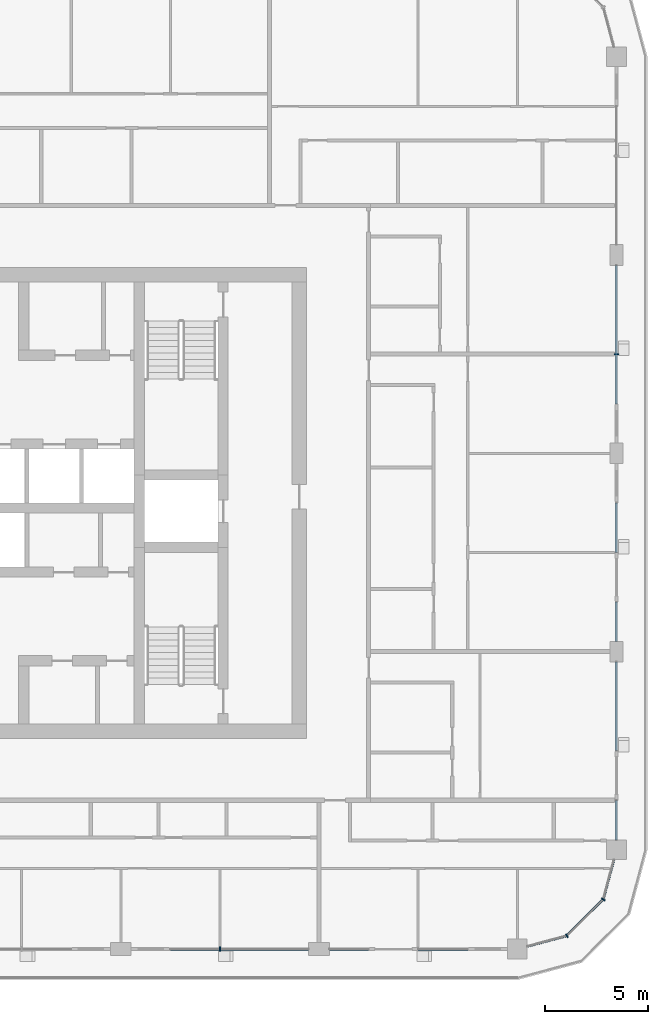
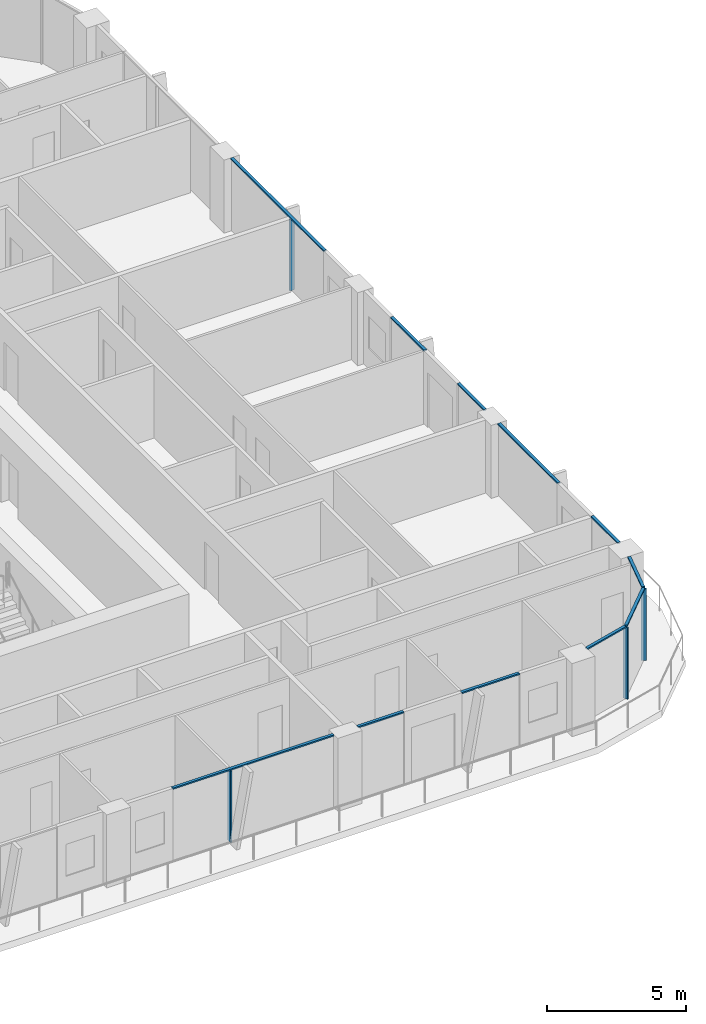
# One storey, part 4 of 23: 15 members, 6 elements without a shape of their own.
"""IFC4 building model written with IfcOpenShell, lengths in metres."""

from ifc_helpers import new_model, si_unit, direction, frame, origin, origin_2d, place, context, subcontext, project, spatial, rectangle, extrude, material, layer, layer_set, material_profile, profile_set, type_object, element, aggregate, save


model = new_model("IFC4")

# Units and contexts
model_context = context("Model", 3, precision=1e-05, world=origin(), true_north=direction((0.0, 1.0)))
body_context = subcontext(model_context, "Body", "Model", "MODEL_VIEW")
ifc_project = project(units=[si_unit("LENGTHUNIT", "METRE"), si_unit("AREAUNIT", "SQUARE_METRE"), si_unit("VOLUMEUNIT", "CUBIC_METRE"), si_unit("PLANEANGLEUNIT", "RADIAN"), si_unit("MASSUNIT", "GRAM", prefix="KILO")], contexts=[model_context])

# Site, building, storey
site_placement = place(None, origin())
site = spatial("IfcSite", under=ifc_project, at=site_placement, CompositionType="ELEMENT")
building_placement = place(site_placement, origin())
building = spatial("IfcBuilding", under=site, at=building_placement, Name="Madar Terraces", CompositionType="ELEMENT")
storey_placement = place(building_placement, frame((0.0, 0.0, 226.300048828125)))
storey = spatial("IfcBuildingStorey", under=building, at=storey_placement, Name="L59", CompositionType="ELEMENT", Elevation=226.300048828125)

# Curtain wall, member
ifc_material_1 = material(Name="Glass, ceramic frit dark grey, with black aluminium frame", Category="aluminium")
ifc_layer = layer(ifc_material_1, 0.199951171875)
ifc_layer_set = layer_set([ifc_layer], Name="Facade curtain wall, fritted glass")
curtain_wall_type = type_object("IfcCurtainWallType", Name="Facade curtain wall, fritted glass", PredefinedType="NOTDEFINED", material=ifc_layer_set)
curtain_wall_1_placement = place(storey_placement, origin())
curtain_wall_1 = element("IfcCurtainWall", 1, at=curtain_wall_1_placement, inside=storey, type_object=curtain_wall_type, Name="Outer skin curtain wall south bay 4", PredefinedType="NOTDEFINED")
ifc_material_2 = material(Name="Aluminium, black anodised", Category="aluminium")
ifc_material_profile_1 = material_profile(ifc_material_2, rectangle(XDim=0.199951171875, YDim=0.06005859375, at=origin_2d()), Name="Facade mullion 60x200")
ifc_profile_set_1 = profile_set([ifc_material_profile_1], Name="Aluminium, black anodised")
member_type_1 = type_object("IfcMemberType", Name="Facade mullion 60x200", PredefinedType="MULLION", material=ifc_profile_set_1)
member_1_placement = place(storey_placement, frame((43.199951171875, 4.800048828125, 0.0), z_axis=(0.0, 0.0, 1.0), x_axis=(0.0, 1.0, 0.0)))
member_1 = element("IfcMember", 2, at=member_1_placement, type_object=member_type_1, Name="Mullion 1", PredefinedType="MULLION", context=body_context, shape_type="SweptSolid", body=[
    extrude(rectangle(XDim=0.199951171875, YDim=0.06005859375, at=origin_2d()), origin(), (0.0, 0.0, 1.0), 3.139892578125),
])

curtain_wall_2_placement = place(storey_placement, origin())
curtain_wall_2 = element("IfcCurtainWall", 3, at=curtain_wall_2_placement, inside=storey, type_object=curtain_wall_type, Name="Outer skin curtain wall east bay 3", PredefinedType="NOTDEFINED")
member_2_placement = place(storey_placement, frame((62.39990234375, 33.60009765625, 0.0), z_axis=(0.0, 0.0, 1.0), x_axis=(-1.0, 0.0, 0.0)))
member_2 = element("IfcMember", 4, at=member_2_placement, type_object=member_type_1, Name="Mullion 1", PredefinedType="MULLION", context=body_context, shape_type="SweptSolid", body=[
    extrude(rectangle(XDim=0.199951171875, YDim=0.06005859375, at=origin_2d()), origin(), (0.0, 0.0, 1.0), 3.139892578125),
])

# Curtain wall, members
curtain_wall_3_placement = place(storey_placement, origin())
curtain_wall_3 = element("IfcCurtainWall", 5, at=curtain_wall_3_placement, inside=storey, type_object=curtain_wall_type, Name="Outer skin curtain wall south-east corner", PredefinedType="NOTDEFINED")
member_3_placement = place(storey_placement, frame((60.0, 5.443115234375, 0.0), z_axis=(0.0, 0.0, 1.0), x_axis=(-0.499999989586, 0.866025409797, 0.0)))
member_3 = element("IfcMember", 6, at=member_3_placement, type_object=member_type_1, Name="Mullion 1", PredefinedType="MULLION", context=body_context, shape_type="SweptSolid", body=[
    extrude(rectangle(XDim=0.199951171875, YDim=0.06005859375, at=origin_2d()), origin(), (0.0, 0.0, 1.0), 3.139892578125),
])
member_4_placement = place(storey_placement, frame((61.7568359375, 7.199951171875, 0.0), z_axis=(0.0, 0.0, 1.0), x_axis=(-0.866025409797, 0.499999989586, 0.0)))
member_4 = element("IfcMember", 7, at=member_4_placement, type_object=member_type_1, Name="Mullion 2", PredefinedType="MULLION", context=body_context, shape_type="SweptSolid", body=[
    extrude(rectangle(XDim=0.199951171875, YDim=0.06005859375, at=origin_2d()), origin(), (0.0, 0.0, 1.0), 3.139892578125),
])

# Member
ifc_material_3 = material(Name="Aluminium, black anodised", Category="aluminium")
ifc_material_profile_2 = material_profile(ifc_material_3, rectangle(XDim=0.1201171875, YDim=0.06005859375, at=origin_2d()), Name="Facade transom 60x120")
ifc_profile_set_2 = profile_set([ifc_material_profile_2], Name="Aluminium, black anodised")
member_type_2 = type_object("IfcMemberType", Name="Facade transom 60x120", PredefinedType="USERDEFINED", material=ifc_profile_set_2)
member_5_placement = place(storey_placement, frame((40.800048828125, 4.800048828125, 3.169921875), z_axis=(1.0, 0.0, 0.0), x_axis=(0.0, 1.0, 0.0)))
member_5 = element("IfcMember", 8, at=member_5_placement, type_object=member_type_2, Name="Transom 1", ObjectType="TRANSOM", PredefinedType="USERDEFINED", context=body_context, shape_type="SweptSolid", body=[
    extrude(rectangle(XDim=0.1201171875, YDim=0.06005859375, at=origin_2d()), origin(), (0.0, 0.0, 1.0), 6.699951171875),
])

aggregate(curtain_wall_1, [member_1, member_5])

# Curtain wall, members
curtain_wall_4_placement = place(storey_placement, origin())
curtain_wall_4 = element("IfcCurtainWall", 9, at=curtain_wall_4_placement, inside=storey, type_object=curtain_wall_type, Name="Outer skin curtain wall south bay 5", PredefinedType="NOTDEFINED")
member_6_placement = place(storey_placement, frame((48.5, 4.800048828125, 3.169921875), z_axis=(1.0, 0.0, 0.0), x_axis=(0.0, 1.0, 0.0)))
member_6 = element("IfcMember", 10, at=member_6_placement, type_object=member_type_2, Name="Transom 1", ObjectType="TRANSOM", PredefinedType="USERDEFINED", context=body_context, shape_type="SweptSolid", body=[
    extrude(rectangle(XDim=0.1201171875, YDim=0.06005859375, at=origin_2d()), origin(), (0.0, 0.0, 1.0), 1.89990234375),
])
member_7_placement = place(storey_placement, frame((52.800048828125, 4.800048828125, 3.169921875), z_axis=(1.0, 0.0, 0.0), x_axis=(0.0, 1.0, 0.0)))
member_7 = element("IfcMember", 11, at=member_7_placement, type_object=member_type_2, Name="Transom 2", ObjectType="TRANSOM", PredefinedType="USERDEFINED", context=body_context, shape_type="SweptSolid", body=[
    extrude(rectangle(XDim=0.1201171875, YDim=0.06005859375, at=origin_2d()), origin(), (0.0, 0.0, 1.0), 2.39990234375),
])
aggregate(curtain_wall_4, [member_6, member_7])

curtain_wall_5_placement = place(storey_placement, origin())
curtain_wall_5 = element("IfcCurtainWall", 12, at=curtain_wall_5_placement, inside=storey, type_object=curtain_wall_type, Name="Outer skin curtain wall east bay 1", PredefinedType="NOTDEFINED")
member_8_placement = place(storey_placement, frame((62.39990234375, 10.074951171875, 3.169921875), z_axis=(0.0, 1.0, 0.0), x_axis=(-1.0, 0.0, 0.0)))
member_8 = element("IfcMember", 13, at=member_8_placement, type_object=member_type_2, Name="Transom 1", ObjectType="TRANSOM", PredefinedType="USERDEFINED", context=body_context, shape_type="SweptSolid", body=[
    extrude(rectangle(XDim=0.1201171875, YDim=0.06005859375, at=origin_2d()), origin(), (0.0, 0.0, 1.0), 1.925048828125),
])
member_9_placement = place(storey_placement, frame((62.39990234375, 14.39990234375, 3.169921875), z_axis=(0.0, 1.0, 0.0), x_axis=(-1.0, 0.0, 0.0)))
member_9 = element("IfcMember", 14, at=member_9_placement, type_object=member_type_2, Name="Transom 2", ObjectType="TRANSOM", PredefinedType="USERDEFINED", context=body_context, shape_type="SweptSolid", body=[
    extrude(rectangle(XDim=0.1201171875, YDim=0.06005859375, at=origin_2d()), origin(), (0.0, 0.0, 1.0), 4.300048828125),
])
aggregate(curtain_wall_5, [member_8, member_9])

curtain_wall_6_placement = place(storey_placement, origin())
curtain_wall_6 = element("IfcCurtainWall", 15, at=curtain_wall_6_placement, inside=storey, type_object=curtain_wall_type, Name="Outer skin curtain wall east bay 2", PredefinedType="NOTDEFINED")
member_10_placement = place(storey_placement, frame((62.39990234375, 19.699951171875, 3.169921875), z_axis=(0.0, 1.0, 0.0), x_axis=(-1.0, 0.0, 0.0)))
member_10 = element("IfcMember", 16, at=member_10_placement, type_object=member_type_2, Name="Transom 1", ObjectType="TRANSOM", PredefinedType="USERDEFINED", context=body_context, shape_type="SweptSolid", body=[
    extrude(rectangle(XDim=0.1201171875, YDim=0.06005859375, at=origin_2d()), origin(), (0.0, 0.0, 1.0), 1.900146484375),
])
member_11_placement = place(storey_placement, frame((62.39990234375, 24.0, 3.169921875), z_axis=(0.0, 1.0, 0.0), x_axis=(-1.0, 0.0, 0.0)))
member_11 = element("IfcMember", 17, at=member_11_placement, type_object=member_type_2, Name="Transom 2", ObjectType="TRANSOM", PredefinedType="USERDEFINED", context=body_context, shape_type="SweptSolid", body=[
    extrude(rectangle(XDim=0.1201171875, YDim=0.06005859375, at=origin_2d()), origin(), (0.0, 0.0, 1.0), 2.39990234375),
])
aggregate(curtain_wall_6, [member_10, member_11])

# Member
member_12_placement = place(storey_placement, frame((62.39990234375, 31.199951171875, 3.169921875), z_axis=(0.0, 1.0, 0.0), x_axis=(-1.0, 0.0, 0.0)))
member_12 = element("IfcMember", 18, at=member_12_placement, type_object=member_type_2, Name="Transom 1", ObjectType="TRANSOM", PredefinedType="USERDEFINED", context=body_context, shape_type="SweptSolid", body=[
    extrude(rectangle(XDim=0.1201171875, YDim=0.06005859375, at=origin_2d()), origin(), (0.0, 0.0, 1.0), 6.699951171875),
])

aggregate(curtain_wall_2, [member_2, member_12])

member_13_placement = place(storey_placement, frame((58.074951171875, 4.92724609375, 3.169921875), z_axis=(0.96592251241, 0.258831412352, 0.0), x_axis=(-0.258831412352, 0.96592251241, 0.0)))
member_13 = element("IfcMember", 19, at=member_13_placement, type_object=member_type_2, Name="Transom 1", ObjectType="TRANSOM", PredefinedType="USERDEFINED", context=body_context, shape_type="SweptSolid", body=[
    extrude(rectangle(XDim=0.1201171875, YDim=0.06005859375, at=origin_2d()), origin(), (0.0, 0.0, 1.0), 1.962890625),
])

member_14_placement = place(storey_placement, frame((60.021240234375, 5.46435546875, 3.169921875), z_axis=(0.707106781187, 0.707106781187, 0.0), x_axis=(-0.707106781187, 0.707106781187, 0.0)))
member_14 = element("IfcMember", 20, at=member_14_placement, type_object=member_type_2, Name="Transom 2", ObjectType="TRANSOM", PredefinedType="USERDEFINED", context=body_context, shape_type="SweptSolid", body=[
    extrude(rectangle(XDim=0.1201171875, YDim=0.06005859375, at=origin_2d()), origin(), (0.0, 0.0, 1.0), 2.424560546875),
])

member_15_placement = place(storey_placement, frame((61.7646484375, 7.22900390625, 3.169921875), z_axis=(0.258831412352, 0.96592251241, 0.0), x_axis=(-0.96592251241, 0.258831412352, 0.0)))
member_15 = element("IfcMember", 21, at=member_15_placement, type_object=member_type_2, Name="Transom 3", ObjectType="TRANSOM", PredefinedType="USERDEFINED", context=body_context, shape_type="SweptSolid", body=[
    extrude(rectangle(XDim=0.1201171875, YDim=0.06005859375, at=origin_2d()), origin(), (0.0, 0.0, 1.0), 1.962890625),
])

aggregate(curtain_wall_3, [member_3, member_13, member_4, member_14, member_15])

save(model, "model.ifc")
